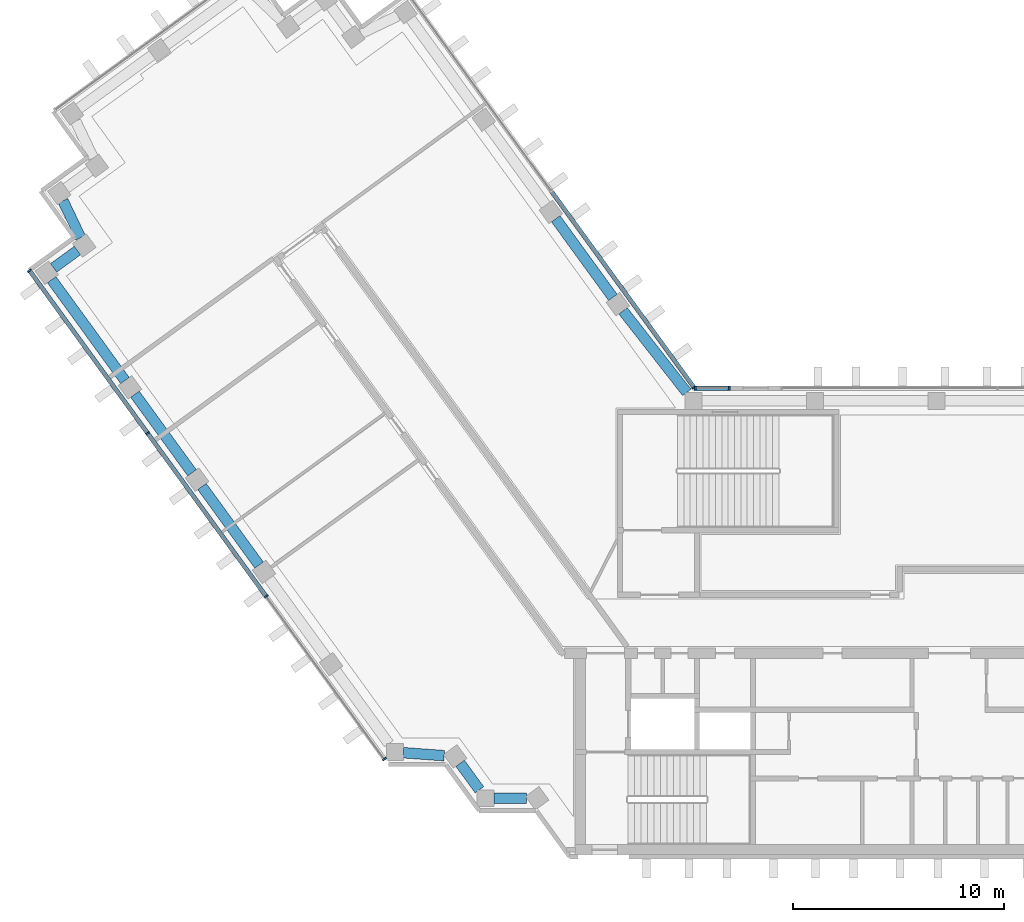
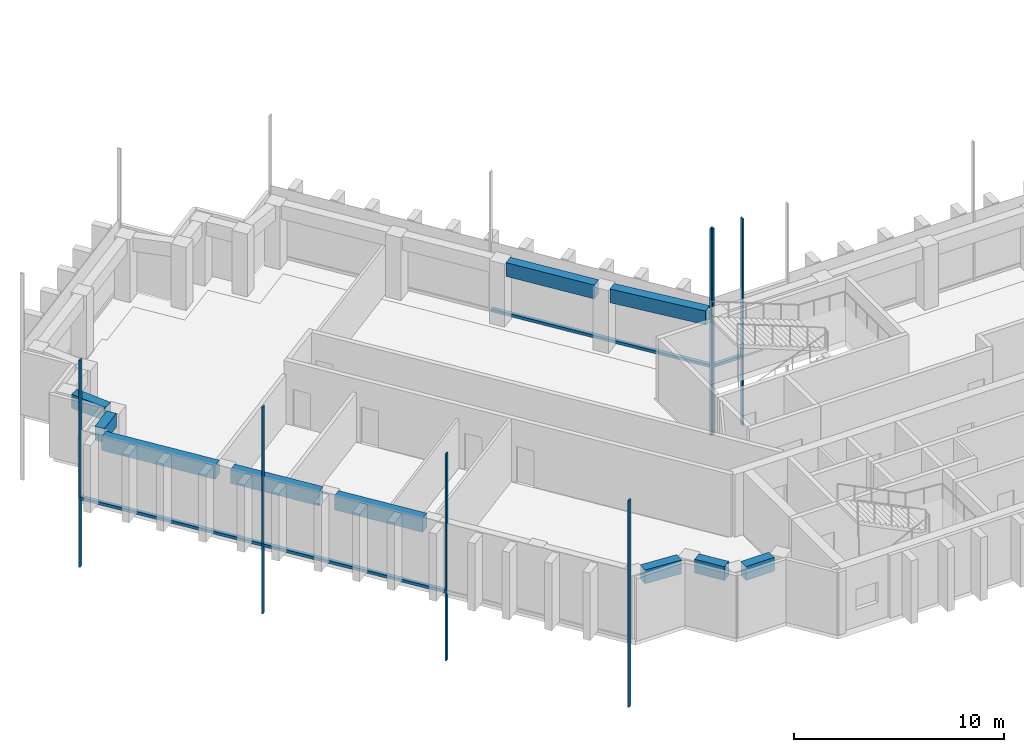
# One storey, part 2 of 13: 11 members, 10 beams, 3 elements without a shape of their own.
"""IFC4 building model written with IfcOpenShell, lengths in metres."""

from ifc_helpers import new_model, si_unit, direction, frame, origin, origin_2d, place, context, subcontext, project, spatial, rectangle, extrude, material, material_profile, profile_set, type_object, element, aggregate, save


model = new_model("IFC4")

# Units and contexts
model_context = context("Model", 3, precision=1e-05, world=origin(), true_north=direction((0.0, 1.0)))
body_context = subcontext(model_context, "Body", "Model", "MODEL_VIEW")
ifc_project = project(units=[si_unit("LENGTHUNIT", "METRE"), si_unit("AREAUNIT", "SQUARE_METRE"), si_unit("VOLUMEUNIT", "CUBIC_METRE"), si_unit("PLANEANGLEUNIT", "RADIAN"), si_unit("MASSUNIT", "GRAM", prefix="KILO")], contexts=[model_context])

# Site, building, storey
site_placement = place(None, origin())
site = spatial("IfcSite", under=ifc_project, at=site_placement, CompositionType="ELEMENT")
building_placement = place(site_placement, origin())
building = spatial("IfcBuilding", under=site, at=building_placement, Name="Quipu Civic Tower", CompositionType="ELEMENT")
storey_placement = place(building_placement, frame((0.0, 0.0, 172.0)))
storey = spatial("IfcBuildingStorey", under=building, at=storey_placement, Name="L40", CompositionType="ELEMENT", Elevation=172.0)

# Curtain wall, member
ifc_material_1 = material(Name="Insulated glass unit", Category="glass")
curtain_wall_type = type_object("IfcCurtainWallType", Name="Office curtain wall CW1", PredefinedType="NOTDEFINED", material=ifc_material_1)
curtain_wall_1_placement = place(storey_placement, origin())
curtain_wall_1 = element("IfcCurtainWall", 1, at=curtain_wall_1_placement, inside=storey, type_object=curtain_wall_type, Name="Office curtain wall CW1 L39 run 1", PredefinedType="NOTDEFINED")
ifc_material_2 = material(Name="Anodised aluminium", Category="aluminium")
ifc_material_profile_1 = material_profile(ifc_material_2, rectangle(XDim=0.199951171875, YDim=0.080078125, at=origin_2d()), Name="RECT 200x80")
ifc_profile_set_1 = profile_set([ifc_material_profile_1], Name="Anodised aluminium")
member_type_1 = type_object("IfcMemberType", Name="Mullion CW1", PredefinedType="MULLION", material=ifc_profile_set_1)
member_1_placement = place(storey_placement, frame((-14.36767578125, 11.13232421875, -3.919921875), z_axis=(0.0, 0.0, 1.0), x_axis=(-0.809014469803, -0.587788727052, 0.0)))
member_1 = element("IfcMember", 2, at=member_1_placement, type_object=member_type_1, Name="CW1 mullion 1", PredefinedType="MULLION", context=body_context, shape_type="SweptSolid", body=[
    extrude(rectangle(XDim=0.199951171875, YDim=0.080078125, at=origin_2d()), origin(), (0.0, 0.0, 1.0), 12.0),
])

# Curtain wall, members
curtain_wall_2_placement = place(storey_placement, origin())
curtain_wall_2 = element("IfcCurtainWall", 3, at=curtain_wall_2_placement, inside=storey, type_object=curtain_wall_type, Name="Office curtain wall CW1 L39 run 8", PredefinedType="NOTDEFINED")
member_2_placement = place(storey_placement, frame((-45.825927734375, 16.661865234375, -3.919921875), z_axis=(0.0, 0.0, 1.0), x_axis=(0.80901667469, 0.5877856923, 0.0)))
member_2 = element("IfcMember", 4, at=member_2_placement, type_object=member_type_1, Name="CW1 mullion 1", PredefinedType="MULLION", context=body_context, shape_type="SweptSolid", body=[
    extrude(rectangle(XDim=0.199951171875, YDim=0.080078125, at=origin_2d()), origin(), (0.0, 0.0, 1.0), 12.0),
])
member_3_placement = place(storey_placement, frame((-40.23486328125, 8.966552734375, -3.919921875), z_axis=(0.0, 0.0, 1.0), x_axis=(0.80901667469, 0.5877856923, 0.0)))
member_3 = element("IfcMember", 5, at=member_3_placement, type_object=member_type_1, Name="CW1 mullion 2", PredefinedType="MULLION", context=body_context, shape_type="SweptSolid", body=[
    extrude(rectangle(XDim=0.199951171875, YDim=0.080078125, at=origin_2d()), origin(), (0.0, 0.0, 1.0), 12.0),
])
member_4_placement = place(storey_placement, frame((-34.620361328125, 1.23876953125, -3.919921875), z_axis=(0.0, 0.0, 1.0), x_axis=(0.80901667469, 0.5877856923, 0.0)))
member_4 = element("IfcMember", 6, at=member_4_placement, type_object=member_type_1, Name="CW1 mullion 3", PredefinedType="MULLION", context=body_context, shape_type="SweptSolid", body=[
    extrude(rectangle(XDim=0.199951171875, YDim=0.080078125, at=origin_2d()), origin(), (0.0, 0.0, 1.0), 12.0),
])
member_5_placement = place(storey_placement, frame((-29.029296875, -6.45654296875, -3.919921875), z_axis=(0.0, 0.0, 1.0), x_axis=(0.80901667469, 0.5877856923, 0.0)))
member_5 = element("IfcMember", 7, at=member_5_placement, type_object=member_type_1, Name="CW1 mullion 4", PredefinedType="MULLION", context=body_context, shape_type="SweptSolid", body=[
    extrude(rectangle(XDim=0.199951171875, YDim=0.080078125, at=origin_2d()), origin(), (0.0, 0.0, 1.0), 12.0),
])

curtain_wall_3_placement = place(storey_placement, origin())
curtain_wall_3 = element("IfcCurtainWall", 8, at=curtain_wall_3_placement, inside=storey, type_object=curtain_wall_type, Name="Office curtain wall CW1 L39 run 35", PredefinedType="NOTDEFINED")
member_6_placement = place(storey_placement, frame((-12.695068359375, 11.10009765625, -3.919921875), z_axis=(0.0, 0.0, 1.0), x_axis=(0.0, -1.0, 0.0)))
member_6 = element("IfcMember", 9, at=member_6_placement, type_object=member_type_1, Name="CW1 mullion 1", PredefinedType="MULLION", context=body_context, shape_type="SweptSolid", body=[
    extrude(rectangle(XDim=0.199951171875, YDim=0.080078125, at=origin_2d()), origin(), (0.0, 0.0, 1.0), 12.0),
])
member_7_placement = place(storey_placement, frame((-14.30419921875, 11.10009765625, -3.919921875), z_axis=(0.0, 0.0, 1.0), x_axis=(0.0, -1.0, 0.0)))
member_7 = element("IfcMember", 10, at=member_7_placement, type_object=member_type_1, Name="CW1 mullion 2", PredefinedType="MULLION", context=body_context, shape_type="SweptSolid", body=[
    extrude(rectangle(XDim=0.199951171875, YDim=0.080078125, at=origin_2d()), origin(), (0.0, 0.0, 1.0), 12.0),
])

# Beams
ifc_material_3 = material(Name="Concrete C50/60", Category="concrete")
ifc_material_profile_2 = material_profile(ifc_material_3, rectangle(XDim=0.5, YDim=0.800048828125, at=origin_2d()), Name="RC500x800")
ifc_profile_set_2 = profile_set([ifc_material_profile_2], Name="Concrete C50/60")
beam_type = type_object("IfcBeamType", Name="Spandrel beam RC 500x800 C50/60", PredefinedType="SPANDREL", material=ifc_profile_set_2)
beam_1_placement = place(storey_placement, frame((-18.208740234375, 15.398681640625, 3.25), z_axis=(-0.58776136044, 0.809034352283, 0.0), x_axis=(-0.809034352283, -0.58776136044, 0.0)))
element("IfcBeam", 11, at=beam_1_placement, inside=storey, type_object=beam_type, Name="Spandrel beam L40 W-IN-01 to W-IN-02", PredefinedType="SPANDREL", context=body_context, shape_type="SweptSolid", body=[
    extrude(rectangle(XDim=0.5, YDim=0.800048828125, at=origin_2d()), origin(), (0.0, 0.0, 1.0), 4.599853515625),
])
beam_2_placement = place(storey_placement, frame((-44.23974609375, 19.9677734375, 3.25), z_axis=(0.430785642718, -0.902454281406, 0.0), x_axis=(0.902454281406, 0.430785642718, 0.0)))
element("IfcBeam", 12, at=beam_2_placement, inside=storey, type_object=beam_type, Name="Spandrel beam L40 T-Wo.2-W34 to T-Wo.3-W34", PredefinedType="SPANDREL", context=body_context, shape_type="SweptSolid", body=[
    extrude(rectangle(XDim=0.5, YDim=0.800048828125, at=origin_2d()), origin(), (0.0, 0.0, 1.0), 1.934814453125),
])
beam_3_placement = place(storey_placement, frame((-43.554443359375, 17.619140625, 3.25), z_axis=(-0.808600329101, -0.588358315805, 0.0), x_axis=(0.588358315805, -0.808600329101, 0.0)))
element("IfcBeam", 13, at=beam_3_placement, inside=storey, type_object=beam_type, Name="Spandrel beam L40 T-Wo.3-W34 to T-Wo.4-W34", PredefinedType="SPANDREL", context=body_context, shape_type="SweptSolid", body=[
    extrude(rectangle(XDim=0.5, YDim=0.800048828125, at=origin_2d()), origin(), (0.0, 0.0, 1.0), 1.400146484375),
])
beam_4_placement = place(storey_placement, frame((-44.77490234375, 16.236328125, 3.25), z_axis=(0.58780026889, -0.809006083965, 0.0), x_axis=(0.809006083965, 0.58780026889, 0.0)))
element("IfcBeam", 14, at=beam_4_placement, inside=storey, type_object=beam_type, Name="Spandrel beam L40 T-Wo.4-W34 to W-OUT-04", PredefinedType="SPANDREL", context=body_context, shape_type="SweptSolid", body=[
    extrude(rectangle(XDim=0.5, YDim=0.800048828125, at=origin_2d()), origin(), (0.0, 0.0, 1.0), 5.902587890625),
])
beam_5_placement = place(storey_placement, frame((-40.835205078125, 10.81396484375, 3.25), z_axis=(0.587770861189, -0.809027449928, 0.0), x_axis=(0.809027449928, 0.587770861189, 0.0)))
element("IfcBeam", 15, at=beam_5_placement, inside=storey, type_object=beam_type, Name="Spandrel beam L40 W-OUT-04 to W-OUT-03", PredefinedType="SPANDREL", context=body_context, shape_type="SweptSolid", body=[
    extrude(rectangle(XDim=0.5, YDim=0.800048828125, at=origin_2d()), origin(), (0.0, 0.0, 1.0), 4.60009765625),
])
beam_6_placement = place(storey_placement, frame((-37.6611328125, 6.445068359375, 3.25), z_axis=(0.58776136044, -0.809034352283, 0.0), x_axis=(0.809034352283, 0.58776136044, 0.0)))
element("IfcBeam", 16, at=beam_6_placement, inside=storey, type_object=beam_type, Name="Spandrel beam L40 W-OUT-03 to W-OUT-02", PredefinedType="SPANDREL", context=body_context, shape_type="SweptSolid", body=[
    extrude(rectangle(XDim=0.5, YDim=0.800048828125, at=origin_2d()), origin(), (0.0, 0.0, 1.0), 4.599853515625),
])
beam_7_placement = place(storey_placement, frame((-28.125, -6.158935546875, 3.25), z_axis=(0.997370796499, -0.072467194581, 0.0), x_axis=(0.072467194581, 0.997370796499, 0.0)))
element("IfcBeam", 17, at=beam_7_placement, inside=storey, type_object=beam_type, Name="Spandrel beam L40 J-Wo.0 to J-Wo.1", PredefinedType="SPANDREL", context=body_context, shape_type="SweptSolid", body=[
    extrude(rectangle(XDim=0.5, YDim=0.800048828125, at=origin_2d()), origin(), (0.0, 0.0, 1.0), 1.933837890625),
])
beam_8_placement = place(storey_placement, frame((-25.43896484375, -6.660400390625, 3.25), z_axis=(0.588330737135, -0.808620395329, 0.0), x_axis=(0.808620395329, 0.588330737135, 0.0)))
element("IfcBeam", 18, at=beam_8_placement, inside=storey, type_object=beam_type, Name="Spandrel beam L40 J-Wo.1 to J-Wo.2", PredefinedType="SPANDREL", context=body_context, shape_type="SweptSolid", body=[
    extrude(rectangle(XDim=0.5, YDim=0.800048828125, at=origin_2d()), origin(), (0.0, 0.0, 1.0), 1.551513671875),
])
beam_9_placement = place(storey_placement, frame((-23.8349609375, -8.31494140625, 3.25), z_axis=(1.0, 0.0, 0.0), x_axis=(0.0, 1.0, 0.0)))
element("IfcBeam", 19, at=beam_9_placement, inside=storey, type_object=beam_type, Name="Spandrel beam L40 J-Wo.2 to J-Wo.3", PredefinedType="SPANDREL", context=body_context, shape_type="SweptSolid", body=[
    extrude(rectangle(XDim=0.5, YDim=0.800048828125, at=origin_2d()), origin(), (0.0, 0.0, 1.0), 1.548828125),
])
beam_10_placement = place(storey_placement, frame((-14.7080078125, 10.89990234375, 3.25), z_axis=(-0.616090612932, 0.787675286306, 0.0), x_axis=(-0.787675286306, -0.616090612932, 0.0)))
element("IfcBeam", 20, at=beam_10_placement, inside=storey, type_object=beam_type, Name="Spandrel beam L40 J-Wi.0 to W-IN-01", PredefinedType="SPANDREL", context=body_context, shape_type="SweptSolid", body=[
    extrude(rectangle(XDim=0.5, YDim=0.800048828125, at=origin_2d()), origin(), (0.0, 0.0, 1.0), 4.900390625),
])

# Member
ifc_material_4 = material(Name="Anodised aluminium", Category="aluminium")
ifc_material_profile_3 = material_profile(ifc_material_4, rectangle(XDim=0.199951171875, YDim=0.159912109375, at=origin_2d()), Name="RECT 200x160")
ifc_profile_set_3 = profile_set([ifc_material_profile_3], Name="Anodised aluminium")
member_type_2 = type_object("IfcMemberType", Name="Transom CW1", PredefinedType="USERDEFINED", material=ifc_profile_set_3)
member_8_placement = place(storey_placement, frame((-14.39111328125, 11.164794921875, 0.080078125), z_axis=(-0.587799878401, 0.809006367683, 0.0), x_axis=(-0.809006367683, -0.587799878401, 0.0)))
member_8 = element("IfcMember", 21, at=member_8_placement, type_object=member_type_2, Name="CW1 transom 1.2", ObjectType="TRANSOM", PredefinedType="USERDEFINED", context=body_context, shape_type="SweptSolid", body=[
    extrude(rectangle(XDim=0.199951171875, YDim=0.159912109375, at=origin_2d()), origin(), (0.0, 0.0, 1.0), 11.402099609375),
])

aggregate(curtain_wall_1, [member_1, member_8])

member_9_placement = place(storey_placement, frame((-45.802490234375, 16.629638671875, 0.080078125), z_axis=(0.587783783239, -0.809018061703, 0.0), x_axis=(0.809018061703, 0.587783783239, 0.0)))
member_9 = element("IfcMember", 22, at=member_9_placement, type_object=member_type_2, Name="CW1 transom 1.2", ObjectType="TRANSOM", PredefinedType="USERDEFINED", context=body_context, shape_type="SweptSolid", body=[
    extrude(rectangle(XDim=0.199951171875, YDim=0.159912109375, at=origin_2d()), origin(), (0.0, 0.0, 1.0), 9.431884765625),
])

member_10_placement = place(storey_placement, frame((-40.21142578125, 8.934326171875, 0.080078125), z_axis=(0.587773158676, -0.809025780763, 0.0), x_axis=(0.809025780763, 0.587773158676, 0.0)))
member_10 = element("IfcMember", 23, at=member_10_placement, type_object=member_type_2, Name="CW1 transom 2.2", ObjectType="TRANSOM", PredefinedType="USERDEFINED", context=body_context, shape_type="SweptSolid", body=[
    extrude(rectangle(XDim=0.199951171875, YDim=0.159912109375, at=origin_2d()), origin(), (0.0, 0.0, 1.0), 9.471923828125),
])

aggregate(curtain_wall_2, [member_2, member_3, member_4, member_5, member_9, member_10])

member_11_placement = place(storey_placement, frame((-12.735107421875, 11.10009765625, 0.080078125), z_axis=(-1.0, 0.0, 0.0), x_axis=(0.0, -1.0, 0.0)))
member_11 = element("IfcMember", 24, at=member_11_placement, type_object=member_type_2, Name="CW1 transom 1.2", ObjectType="TRANSOM", PredefinedType="USERDEFINED", context=body_context, shape_type="SweptSolid", body=[
    extrude(rectangle(XDim=0.199951171875, YDim=0.159912109375, at=origin_2d()), origin(), (0.0, 0.0, 1.0), 1.529052734375),
])

aggregate(curtain_wall_3, [member_6, member_7, member_11])

save(model, "model.ifc")
